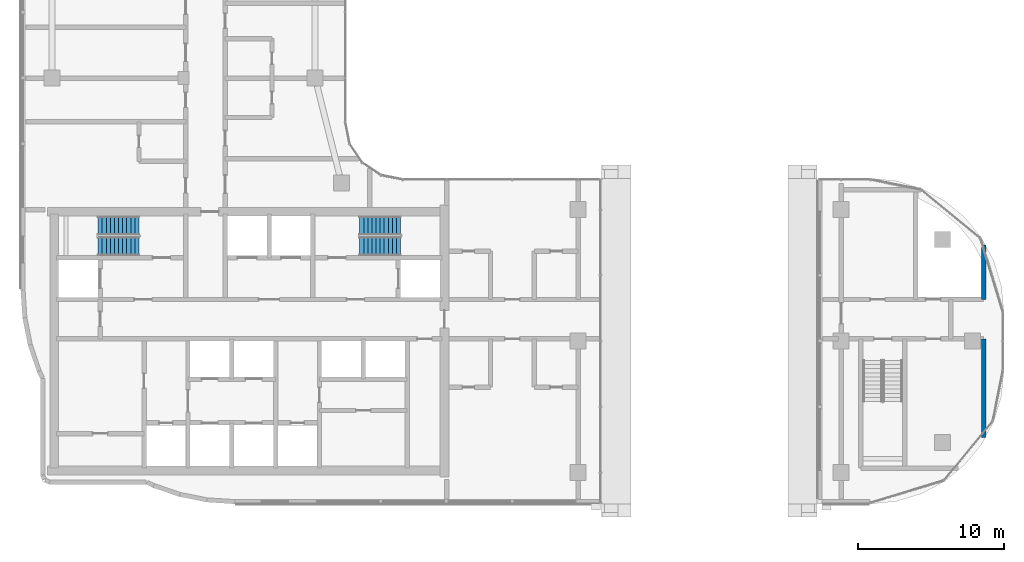
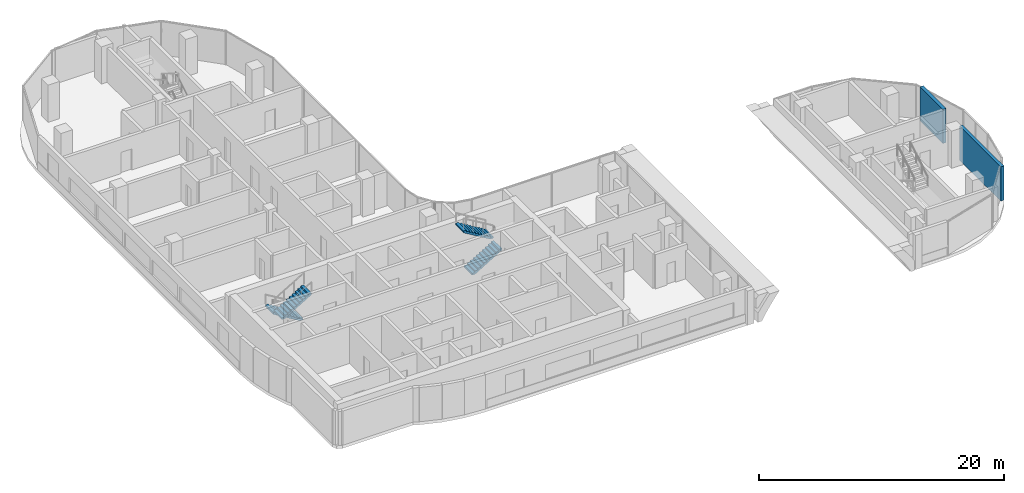
# One storey, part 14 of 23: 4 stair flights, 2 walls, 2 elements without a shape of their own.
"""IFC4 building model written with IfcOpenShell, lengths in metres."""

from ifc_helpers import new_model, si_unit, direction, frame, frame_2d, origin, place, context, subcontext, project, spatial, rectangle, extrude, triangles, source, transform, mapped, material, layer, layer_set, type_object, element, aggregate, save


model = new_model("IFC4")

# Units and contexts
model_context = context("Model", 3, precision=1e-05, world=origin(), true_north=direction((0.0, 1.0)))
body_context = subcontext(model_context, "Body", "Model", "MODEL_VIEW")
ifc_project = project(units=[si_unit("LENGTHUNIT", "METRE"), si_unit("AREAUNIT", "SQUARE_METRE"), si_unit("VOLUMEUNIT", "CUBIC_METRE"), si_unit("PLANEANGLEUNIT", "RADIAN"), si_unit("MASSUNIT", "GRAM", prefix="KILO")], contexts=[model_context])

# Site, building, storey
site_placement = place(None, origin())
site = spatial("IfcSite", under=ifc_project, at=site_placement, CompositionType="ELEMENT")
building_placement = place(site_placement, origin())
building = spatial("IfcBuilding", under=site, at=building_placement, Name="Ogive Portal Towers", CompositionType="ELEMENT")
storey_placement = place(building_placement, frame((0.0, 0.0, 175.5)))
storey = spatial("IfcBuildingStorey", under=building, at=storey_placement, Name="L43", CompositionType="ELEMENT", Elevation=175.5)

# Walls
ifc_material_1 = material(Name="Gypsum board partition on steel studs", Category="steel")
ifc_layer = layer(ifc_material_1, 0.300048828125)
ifc_layer_set = layer_set([ifc_layer], Name="WT-PART-300-EI 60")
wall_type = type_object("IfcWallType", Name="WT-PART-300-EI 60", PredefinedType="PARTITIONING", material=ifc_layer_set)
wall_1_placement = place(storey_placement, frame((95.25, 23.9150390625, 0.0), z_axis=(0.0, 0.0, 1.0), x_axis=(0.0, 1.0, 0.0)))
element("IfcWall", 1, at=wall_1_placement, inside=storey, type_object=wall_type, Name="Wall L43:w055", PredefinedType="PARTITIONING", context=body_context, shape_type="SweptSolid", body=[
    extrude(rectangle(XDim=6.73486328125, YDim=0.300048828125, at=frame_2d((3.367431640625, 0.0))), origin(), (0.0, 0.0, 1.0), 3.39990234375),
])
wall_2_placement = place(storey_placement, frame((95.25, 33.35009765625, 0.0), z_axis=(0.0, 0.0, 1.0), x_axis=(0.0, 1.0, 0.0)))
element("IfcWall", 2, at=wall_2_placement, inside=storey, type_object=wall_type, Name="Wall L43:w056", PredefinedType="PARTITIONING", context=body_context, shape_type="SweptSolid", body=[
    extrude(rectangle(XDim=3.73486328125, YDim=0.300048828125, at=frame_2d((1.867431640625, 0.0))), origin(), (0.0, 0.0, 1.0), 3.39990234375),
])

# Stair, stair flights
ifc_material_2 = material(Name="Concrete C40/50", Category="concrete")
stair_type = type_object("IfcStairType", Name="INT-STAIR", PredefinedType="HALF_TURN_STAIR", material=ifc_material_2)
stair_1_placement = place(storey_placement, origin())
stair_1 = element("IfcStair", 3, at=stair_1_placement, inside=storey, type_object=stair_type, Name="L43 Exit Stair ST-A1", PredefinedType="HALF_TURN_STAIR")
stair_flight_type = type_object("IfcStairFlightType", Name="INT-FLIGHT", PredefinedType="STRAIGHT", material=ifc_material_2)
shared_shape = source(origin(), body_context, "Body", "Tessellation", [
    triangles([(0.0, -0.650146484375, 0.0), (0.0, -0.376220703125, 0.0), (0.0, -0.192626953125, 0.0), (0.0, -0.081298828125, 0.0), (0.0, -0.024169921875, 0.0), (0.0, -0.003173828125, 0.0), (0.0, 0.0, 0.0), (0.0, 0.0029296875, 0.0), (0.0, 0.02392578125, 0.0), (0.0, 0.0810546875, 0.0), (0.0, 0.1923828125, 0.0), (0.0, 0.3759765625, 0.0), (0.0, 0.64990234375, 0.0), (0.0, -0.650146484375, 0.168212890625), (0.0, -0.376220703125, 0.168212890625), (0.0, -0.192626953125, 0.168212890625), (0.0, -0.081298828125, 0.168212890625), (0.0, -0.024169921875, 0.168212890625), (0.0, -0.003173828125, 0.168212890625), (0.0, 0.0, 0.168212890625), (0.0, 0.0029296875, 0.168212890625), (0.0, 0.02392578125, 0.168212890625), (0.0, 0.0810546875, 0.168212890625), (0.0, 0.1923828125, 0.168212890625), (0.0, 0.3759765625, 0.168212890625), (0.0, 0.64990234375, 0.168212890625), (0.280029296875, -0.650146484375, 0.168212890625), (0.280029296875, -0.376220703125, 0.168212890625), (0.280029296875, -0.192626953125, 0.168212890625), (0.280029296875, -0.081298828125, 0.168212890625), (0.280029296875, -0.024169921875, 0.168212890625), (0.280029296875, -0.003173828125, 0.168212890625), (0.280029296875, 0.0, 0.168212890625), (0.280029296875, 0.0029296875, 0.168212890625), (0.280029296875, 0.02392578125, 0.168212890625), (0.280029296875, 0.0810546875, 0.168212890625), (0.280029296875, 0.1923828125, 0.168212890625), (0.280029296875, 0.3759765625, 0.168212890625), (0.280029296875, 0.64990234375, 0.168212890625), (0.280029296875, -0.650146484375, 0.33642578125), (0.280029296875, -0.376220703125, 0.33642578125), (0.280029296875, -0.192626953125, 0.33642578125), (0.280029296875, -0.081298828125, 0.33642578125), (0.280029296875, -0.024169921875, 0.33642578125), (0.280029296875, -0.003173828125, 0.33642578125), (0.280029296875, 0.0, 0.33642578125), (0.280029296875, 0.0029296875, 0.33642578125), (0.280029296875, 0.02392578125, 0.33642578125), (0.280029296875, 0.0810546875, 0.33642578125), (0.280029296875, 0.1923828125, 0.33642578125), (0.280029296875, 0.3759765625, 0.33642578125), (0.280029296875, 0.64990234375, 0.33642578125), (0.56005859375, -0.650146484375, 0.33642578125), (0.56005859375, -0.376220703125, 0.33642578125), (0.56005859375, -0.192626953125, 0.33642578125), (0.56005859375, -0.081298828125, 0.33642578125), (0.56005859375, -0.024169921875, 0.33642578125), (0.56005859375, -0.003173828125, 0.33642578125), (0.56005859375, 0.0, 0.33642578125), (0.56005859375, 0.0029296875, 0.33642578125), (0.56005859375, 0.02392578125, 0.33642578125), (0.56005859375, 0.0810546875, 0.33642578125), (0.56005859375, 0.1923828125, 0.33642578125), (0.56005859375, 0.3759765625, 0.33642578125), (0.56005859375, 0.64990234375, 0.33642578125), (0.56005859375, -0.650146484375, 0.504638671875), (0.56005859375, -0.376220703125, 0.504638671875), (0.56005859375, -0.192626953125, 0.504638671875), (0.56005859375, -0.081298828125, 0.504638671875), (0.56005859375, -0.024169921875, 0.504638671875), (0.56005859375, -0.003173828125, 0.504638671875), (0.56005859375, 0.0, 0.504638671875), (0.56005859375, 0.0029296875, 0.504638671875), (0.56005859375, 0.02392578125, 0.504638671875), (0.56005859375, 0.0810546875, 0.504638671875), (0.56005859375, 0.1923828125, 0.504638671875), (0.56005859375, 0.3759765625, 0.504638671875), (0.56005859375, 0.64990234375, 0.504638671875), (0.840087890625, -0.650146484375, 0.504638671875), (0.840087890625, -0.376220703125, 0.504638671875), (0.840087890625, -0.192626953125, 0.504638671875), (0.840087890625, -0.081298828125, 0.504638671875), (0.840087890625, -0.024169921875, 0.504638671875), (0.840087890625, -0.003173828125, 0.504638671875), (0.840087890625, 0.0, 0.504638671875), (0.840087890625, 0.0029296875, 0.504638671875), (0.840087890625, 0.02392578125, 0.504638671875), (0.840087890625, 0.0810546875, 0.504638671875), (0.840087890625, 0.1923828125, 0.504638671875), (0.840087890625, 0.3759765625, 0.504638671875), (0.840087890625, 0.64990234375, 0.504638671875), (0.840087890625, -0.650146484375, 0.672607421875), (0.840087890625, -0.376220703125, 0.672607421875), (0.840087890625, -0.192626953125, 0.672607421875), (0.840087890625, -0.081298828125, 0.672607421875), (0.840087890625, -0.024169921875, 0.672607421875), (0.840087890625, -0.003173828125, 0.672607421875), (0.840087890625, 0.0, 0.672607421875), (0.840087890625, 0.0029296875, 0.672607421875), (0.840087890625, 0.02392578125, 0.672607421875), (0.840087890625, 0.0810546875, 0.672607421875), (0.840087890625, 0.1923828125, 0.672607421875), (0.840087890625, 0.3759765625, 0.672607421875), (0.840087890625, 0.64990234375, 0.672607421875), (1.1201171875, -0.650146484375, 0.672607421875), (1.1201171875, -0.376220703125, 0.672607421875), (1.1201171875, -0.192626953125, 0.672607421875), (1.1201171875, -0.081298828125, 0.672607421875), (1.1201171875, -0.024169921875, 0.672607421875), (1.1201171875, -0.003173828125, 0.672607421875), (1.1201171875, 0.0, 0.672607421875), (1.1201171875, 0.0029296875, 0.672607421875), (1.1201171875, 0.02392578125, 0.672607421875), (1.1201171875, 0.0810546875, 0.672607421875), (1.1201171875, 0.1923828125, 0.672607421875), (1.1201171875, 0.3759765625, 0.672607421875), (1.1201171875, 0.64990234375, 0.672607421875), (1.1201171875, -0.650146484375, 0.8408203125), (1.1201171875, -0.376220703125, 0.8408203125), (1.1201171875, -0.192626953125, 0.8408203125), (1.1201171875, -0.081298828125, 0.8408203125), (1.1201171875, -0.024169921875, 0.8408203125), (1.1201171875, -0.003173828125, 0.8408203125), (1.1201171875, 0.0, 0.8408203125), (1.1201171875, 0.0029296875, 0.8408203125), (1.1201171875, 0.02392578125, 0.8408203125), (1.1201171875, 0.0810546875, 0.8408203125), (1.1201171875, 0.1923828125, 0.8408203125), (1.1201171875, 0.3759765625, 0.8408203125), (1.1201171875, 0.64990234375, 0.8408203125), (1.39990234375, -0.650146484375, 0.8408203125), (1.39990234375, -0.376220703125, 0.8408203125), (1.39990234375, -0.192626953125, 0.8408203125), (1.39990234375, -0.081298828125, 0.8408203125), (1.39990234375, -0.024169921875, 0.8408203125), (1.39990234375, -0.003173828125, 0.8408203125), (1.39990234375, 0.0, 0.8408203125), (1.39990234375, 0.0029296875, 0.8408203125), (1.39990234375, 0.02392578125, 0.8408203125), (1.39990234375, 0.0810546875, 0.8408203125), (1.39990234375, 0.1923828125, 0.8408203125), (1.39990234375, 0.3759765625, 0.8408203125), (1.39990234375, 0.64990234375, 0.8408203125), (1.39990234375, -0.650146484375, 1.009033203125), (1.39990234375, -0.376220703125, 1.009033203125), (1.39990234375, -0.192626953125, 1.009033203125), (1.39990234375, -0.081298828125, 1.009033203125), (1.39990234375, -0.024169921875, 1.009033203125), (1.39990234375, -0.003173828125, 1.009033203125), (1.39990234375, 0.0, 1.009033203125), (1.39990234375, 0.0029296875, 1.009033203125), (1.39990234375, 0.02392578125, 1.009033203125), (1.39990234375, 0.0810546875, 1.009033203125), (1.39990234375, 0.1923828125, 1.009033203125), (1.39990234375, 0.3759765625, 1.009033203125), (1.39990234375, 0.64990234375, 1.009033203125), (1.679931640625, -0.650146484375, 1.009033203125), (1.679931640625, -0.376220703125, 1.009033203125), (1.679931640625, -0.192626953125, 1.009033203125), (1.679931640625, -0.081298828125, 1.009033203125), (1.679931640625, -0.024169921875, 1.009033203125), (1.679931640625, -0.003173828125, 1.009033203125), (1.679931640625, 0.0, 1.009033203125), (1.679931640625, 0.0029296875, 1.009033203125), (1.679931640625, 0.02392578125, 1.009033203125), (1.679931640625, 0.0810546875, 1.009033203125), (1.679931640625, 0.1923828125, 1.009033203125), (1.679931640625, 0.3759765625, 1.009033203125), (1.679931640625, 0.64990234375, 1.009033203125), (1.679931640625, -0.650146484375, 1.17724609375), (1.679931640625, -0.376220703125, 1.17724609375), (1.679931640625, -0.192626953125, 1.17724609375), (1.679931640625, -0.081298828125, 1.17724609375), (1.679931640625, -0.024169921875, 1.17724609375), (1.679931640625, -0.003173828125, 1.17724609375), (1.679931640625, 0.0, 1.17724609375), (1.679931640625, 0.0029296875, 1.17724609375), (1.679931640625, 0.02392578125, 1.17724609375), (1.679931640625, 0.0810546875, 1.17724609375), (1.679931640625, 0.1923828125, 1.17724609375), (1.679931640625, 0.3759765625, 1.17724609375), (1.679931640625, 0.64990234375, 1.17724609375), (1.9599609375, -0.650146484375, 1.17724609375), (1.9599609375, -0.376220703125, 1.17724609375), (1.9599609375, -0.192626953125, 1.17724609375), (1.9599609375, -0.081298828125, 1.17724609375), (1.9599609375, -0.024169921875, 1.17724609375), (1.9599609375, -0.003173828125, 1.17724609375), (1.9599609375, 0.0, 1.17724609375), (1.9599609375, 0.0029296875, 1.17724609375), (1.9599609375, 0.02392578125, 1.17724609375), (1.9599609375, 0.0810546875, 1.17724609375), (1.9599609375, 0.1923828125, 1.17724609375), (1.9599609375, 0.3759765625, 1.17724609375), (1.9599609375, 0.64990234375, 1.17724609375), (1.9599609375, -0.650146484375, 1.345458984375), (1.9599609375, -0.376220703125, 1.345458984375), (1.9599609375, -0.192626953125, 1.345458984375), (1.9599609375, -0.081298828125, 1.345458984375), (1.9599609375, -0.024169921875, 1.345458984375), (1.9599609375, -0.003173828125, 1.345458984375), (1.9599609375, 0.0, 1.345458984375), (1.9599609375, 0.0029296875, 1.345458984375), (1.9599609375, 0.02392578125, 1.345458984375), (1.9599609375, 0.0810546875, 1.345458984375), (1.9599609375, 0.1923828125, 1.345458984375), (1.9599609375, 0.3759765625, 1.345458984375), (1.9599609375, 0.64990234375, 1.345458984375), (2.239990234375, -0.650146484375, 1.345458984375), (2.239990234375, -0.376220703125, 1.345458984375), (2.239990234375, -0.192626953125, 1.345458984375), (2.239990234375, -0.081298828125, 1.345458984375), (2.239990234375, -0.024169921875, 1.345458984375), (2.239990234375, -0.003173828125, 1.345458984375), (2.239990234375, 0.0, 1.345458984375), (2.239990234375, 0.0029296875, 1.345458984375), (2.239990234375, 0.02392578125, 1.345458984375), (2.239990234375, 0.0810546875, 1.345458984375), (2.239990234375, 0.1923828125, 1.345458984375), (2.239990234375, 0.3759765625, 1.345458984375), (2.239990234375, 0.64990234375, 1.345458984375), (2.239990234375, -0.650146484375, 1.513671875), (2.239990234375, -0.376220703125, 1.513671875), (2.239990234375, -0.192626953125, 1.513671875), (2.239990234375, -0.081298828125, 1.513671875), (2.239990234375, -0.024169921875, 1.513671875), (2.239990234375, -0.003173828125, 1.513671875), (2.239990234375, 0.0, 1.513671875), (2.239990234375, 0.0029296875, 1.513671875), (2.239990234375, 0.02392578125, 1.513671875), (2.239990234375, 0.0810546875, 1.513671875), (2.239990234375, 0.1923828125, 1.513671875), (2.239990234375, 0.3759765625, 1.513671875), (2.239990234375, 0.64990234375, 1.513671875), (2.52001953125, -0.650146484375, 1.513671875), (2.52001953125, -0.376220703125, 1.513671875), (2.52001953125, -0.192626953125, 1.513671875), (2.52001953125, -0.081298828125, 1.513671875), (2.52001953125, -0.024169921875, 1.513671875), (2.52001953125, -0.003173828125, 1.513671875), (2.52001953125, 0.0, 1.513671875), (2.52001953125, 0.0029296875, 1.513671875), (2.52001953125, 0.02392578125, 1.513671875), (2.52001953125, 0.0810546875, 1.513671875), (2.52001953125, 0.1923828125, 1.513671875), (2.52001953125, 0.3759765625, 1.513671875), (2.52001953125, 0.64990234375, 1.513671875), (2.52001953125, -0.650146484375, 1.681884765625), (2.52001953125, -0.376220703125, 1.681884765625), (2.52001953125, -0.192626953125, 1.681884765625), (2.52001953125, -0.081298828125, 1.681884765625), (2.52001953125, -0.024169921875, 1.681884765625), (2.52001953125, -0.003173828125, 1.681884765625), (2.52001953125, 0.0, 1.681884765625), (2.52001953125, 0.0029296875, 1.681884765625), (2.52001953125, 0.02392578125, 1.681884765625), (2.52001953125, 0.0810546875, 1.681884765625), (2.52001953125, 0.1923828125, 1.681884765625), (2.52001953125, 0.3759765625, 1.681884765625), (2.52001953125, 0.64990234375, 1.681884765625), (2.800048828125, -0.650146484375, 1.681884765625), (2.800048828125, -0.376220703125, 1.681884765625), (2.800048828125, -0.192626953125, 1.681884765625), (2.800048828125, -0.081298828125, 1.681884765625), (2.800048828125, -0.024169921875, 1.681884765625), (2.800048828125, -0.003173828125, 1.681884765625), (2.800048828125, 0.0, 1.681884765625), (2.800048828125, 0.0029296875, 1.681884765625), (2.800048828125, 0.02392578125, 1.681884765625), (2.800048828125, 0.0810546875, 1.681884765625), (2.800048828125, 0.1923828125, 1.681884765625), (2.800048828125, 0.3759765625, 1.681884765625), (2.800048828125, 0.64990234375, 1.681884765625), (2.800048828125, -0.650146484375, 1.5068359375), (2.800048828125, -0.376220703125, 1.5068359375), (2.800048828125, -0.192626953125, 1.5068359375), (2.800048828125, -0.081298828125, 1.5068359375), (2.800048828125, -0.024169921875, 1.5068359375), (2.800048828125, -0.003173828125, 1.5068359375), (2.800048828125, 0.0, 1.5068359375), (2.800048828125, 0.0029296875, 1.5068359375), (2.800048828125, 0.02392578125, 1.5068359375), (2.800048828125, 0.0810546875, 1.5068359375), (2.800048828125, 0.1923828125, 1.5068359375), (2.800048828125, 0.3759765625, 1.5068359375), (2.800048828125, 0.64990234375, 1.5068359375), (0.291015625, -0.650146484375, 0.0), (0.291015625, -0.376220703125, 0.0), (0.291015625, -0.192626953125, 0.0), (0.291015625, -0.081298828125, 0.0), (0.291015625, -0.024169921875, 0.0), (0.291015625, -0.003173828125, 0.0), (0.291015625, 0.0, 0.0), (0.291015625, 0.0029296875, 0.0), (0.291015625, 0.02392578125, 0.0), (0.291015625, 0.0810546875, 0.0), (0.291015625, 0.1923828125, 0.0), (0.291015625, 0.3759765625, 0.0), (0.291015625, 0.64990234375, 0.0)], [[1, 14, 15], [1, 15, 2], [2, 15, 16], [2, 16, 3], [3, 16, 17], [3, 17, 4], [4, 17, 18], [4, 18, 5], [5, 18, 19], [5, 19, 6], [6, 19, 20], [6, 20, 7], [7, 20, 21], [7, 21, 8], [8, 21, 22], [8, 22, 9], [9, 22, 23], [9, 23, 10], [10, 23, 24], [10, 24, 11], [11, 24, 25], [11, 25, 12], [12, 25, 26], [12, 26, 13], [14, 27, 28], [14, 28, 15], [15, 28, 29], [15, 29, 16], [16, 29, 30], [16, 30, 17], [17, 30, 31], [17, 31, 18], [18, 31, 32], [18, 32, 19], [19, 32, 33], [19, 33, 20], [20, 33, 34], [20, 34, 21], [21, 34, 35], [21, 35, 22], [22, 35, 36], [22, 36, 23], [23, 36, 37], [23, 37, 24], [24, 37, 38], [24, 38, 25], [25, 38, 39], [25, 39, 26], [27, 40, 41], [27, 41, 28], [28, 41, 42], [28, 42, 29], [29, 42, 43], [29, 43, 30], [30, 43, 44], [30, 44, 31], [31, 44, 45], [31, 45, 32], [32, 45, 46], [32, 46, 33], [33, 46, 47], [33, 47, 34], [34, 47, 48], [34, 48, 35], [35, 48, 49], [35, 49, 36], [36, 49, 50], [36, 50, 37], [37, 50, 51], [37, 51, 38], [38, 51, 52], [38, 52, 39], [40, 53, 54], [40, 54, 41], [41, 54, 55], [41, 55, 42], [42, 55, 56], [42, 56, 43], [43, 56, 57], [43, 57, 44], [44, 57, 58], [44, 58, 45], [45, 58, 59], [45, 59, 46], [46, 59, 60], [46, 60, 47], [47, 60, 61], [47, 61, 48], [48, 61, 62], [48, 62, 49], [49, 62, 63], [49, 63, 50], [50, 63, 64], [50, 64, 51], [51, 64, 65], [51, 65, 52], [53, 66, 67], [53, 67, 54], [54, 67, 68], [54, 68, 55], [55, 68, 69], [55, 69, 56], [56, 69, 70], [56, 70, 57], [57, 70, 71], [57, 71, 58], [58, 71, 72], [58, 72, 59], [59, 72, 73], [59, 73, 60], [60, 73, 74], [60, 74, 61], [61, 74, 75], [61, 75, 62], [62, 75, 76], [62, 76, 63], [63, 76, 77], [63, 77, 64], [64, 77, 78], [64, 78, 65], [66, 79, 80], [66, 80, 67], [67, 80, 81], [67, 81, 68], [68, 81, 82], [68, 82, 69], [69, 82, 83], [69, 83, 70], [70, 83, 84], [70, 84, 71], [71, 84, 85], [71, 85, 72], [72, 85, 86], [72, 86, 73], [73, 86, 87], [73, 87, 74], [74, 87, 88], [74, 88, 75], [75, 88, 89], [75, 89, 76], [76, 89, 90], [76, 90, 77], [77, 90, 91], [77, 91, 78], [79, 92, 93], [79, 93, 80], [80, 93, 94], [80, 94, 81], [81, 94, 95], [81, 95, 82], [82, 95, 96], [82, 96, 83], [83, 96, 97], [83, 97, 84], [84, 97, 98], [84, 98, 85], [85, 98, 99], [85, 99, 86], [86, 99, 100], [86, 100, 87], [87, 100, 101], [87, 101, 88], [88, 101, 102], [88, 102, 89], [89, 102, 103], [89, 103, 90], [90, 103, 104], [90, 104, 91], [92, 105, 106], [92, 106, 93], [93, 106, 107], [93, 107, 94], [94, 107, 108], [94, 108, 95], [95, 108, 109], [95, 109, 96], [96, 109, 110], [96, 110, 97], [97, 110, 111], [97, 111, 98], [98, 111, 112], [98, 112, 99], [99, 112, 113], [99, 113, 100], [100, 113, 114], [100, 114, 101], [101, 114, 115], [101, 115, 102], [102, 115, 116], [102, 116, 103], [103, 116, 117], [103, 117, 104], [105, 118, 119], [105, 119, 106], [106, 119, 120], [106, 120, 107], [107, 120, 121], [107, 121, 108], [108, 121, 122], [108, 122, 109], [109, 122, 123], [109, 123, 110], [110, 123, 124], [110, 124, 111], [111, 124, 125], [111, 125, 112], [112, 125, 126], [112, 126, 113], [113, 126, 127], [113, 127, 114], [114, 127, 128], [114, 128, 115], [115, 128, 129], [115, 129, 116], [116, 129, 130], [116, 130, 117], [118, 131, 132], [118, 132, 119], [119, 132, 133], [119, 133, 120], [120, 133, 134], [120, 134, 121], [121, 134, 135], [121, 135, 122], [122, 135, 136], [122, 136, 123], [123, 136, 137], [123, 137, 124], [124, 137, 138], [124, 138, 125], [125, 138, 139], [125, 139, 126], [126, 139, 140], [126, 140, 127], [127, 140, 141], [127, 141, 128], [128, 141, 142], [128, 142, 129], [129, 142, 143], [129, 143, 130], [131, 144, 145], [131, 145, 132], [132, 145, 146], [132, 146, 133], [133, 146, 147], [133, 147, 134], [134, 147, 148], [134, 148, 135], [135, 148, 149], [135, 149, 136], [136, 149, 150], [136, 150, 137], [137, 150, 151], [137, 151, 138], [138, 151, 152], [138, 152, 139], [139, 152, 153], [139, 153, 140], [140, 153, 154], [140, 154, 141], [141, 154, 155], [141, 155, 142], [142, 155, 156], [142, 156, 143], [144, 157, 158], [144, 158, 145], [145, 158, 159], [145, 159, 146], [146, 159, 160], [146, 160, 147], [147, 160, 161], [147, 161, 148], [148, 161, 162], [148, 162, 149], [149, 162, 163], [149, 163, 150], [150, 163, 164], [150, 164, 151], [151, 164, 165], [151, 165, 152], [152, 165, 166], [152, 166, 153], [153, 166, 167], [153, 167, 154], [154, 167, 168], [154, 168, 155], [155, 168, 169], [155, 169, 156], [157, 170, 171], [157, 171, 158], [158, 171, 172], [158, 172, 159], [159, 172, 173], [159, 173, 160], [160, 173, 174], [160, 174, 161], [161, 174, 175], [161, 175, 162], [162, 175, 176], [162, 176, 163], [163, 176, 177], [163, 177, 164], [164, 177, 178], [164, 178, 165], [165, 178, 179], [165, 179, 166], [166, 179, 180], [166, 180, 167], [167, 180, 181], [167, 181, 168], [168, 181, 182], [168, 182, 169], [170, 183, 184], [170, 184, 171], [171, 184, 185], [171, 185, 172], [172, 185, 186], [172, 186, 173], [173, 186, 187], [173, 187, 174], [174, 187, 188], [174, 188, 175], [175, 188, 189], [175, 189, 176], [176, 189, 190], [176, 190, 177], [177, 190, 191], [177, 191, 178], [178, 191, 192], [178, 192, 179], [179, 192, 193], [179, 193, 180], [180, 193, 194], [180, 194, 181], [181, 194, 195], [181, 195, 182], [183, 196, 197], [183, 197, 184], [184, 197, 198], [184, 198, 185], [185, 198, 199], [185, 199, 186], [186, 199, 200], [186, 200, 187], [187, 200, 201], [187, 201, 188], [188, 201, 202], [188, 202, 189], [189, 202, 203], [189, 203, 190], [190, 203, 204], [190, 204, 191], [191, 204, 205], [191, 205, 192], [192, 205, 206], [192, 206, 193], [193, 206, 207], [193, 207, 194], [194, 207, 208], [194, 208, 195], [196, 209, 210], [196, 210, 197], [197, 210, 211], [197, 211, 198], [198, 211, 212], [198, 212, 199], [199, 212, 213], [199, 213, 200], [200, 213, 214], [200, 214, 201], [201, 214, 215], [201, 215, 202], [202, 215, 216], [202, 216, 203], [203, 216, 217], [203, 217, 204], [204, 217, 218], [204, 218, 205], [205, 218, 219], [205, 219, 206], [206, 219, 220], [206, 220, 207], [207, 220, 221], [207, 221, 208], [209, 222, 223], [209, 223, 210], [210, 223, 224], [210, 224, 211], [211, 224, 225], [211, 225, 212], [212, 225, 226], [212, 226, 213], [213, 226, 227], [213, 227, 214], [214, 227, 228], [214, 228, 215], [215, 228, 229], [215, 229, 216], [216, 229, 230], [216, 230, 217], [217, 230, 231], [217, 231, 218], [218, 231, 232], [218, 232, 219], [219, 232, 233], [219, 233, 220], [220, 233, 234], [220, 234, 221], [222, 235, 236], [222, 236, 223], [223, 236, 237], [223, 237, 224], [224, 237, 238], [224, 238, 225], [225, 238, 239], [225, 239, 226], [226, 239, 240], [226, 240, 227], [227, 240, 241], [227, 241, 228], [228, 241, 242], [228, 242, 229], [229, 242, 243], [229, 243, 230], [230, 243, 244], [230, 244, 231], [231, 244, 245], [231, 245, 232], [232, 245, 246], [232, 246, 233], [233, 246, 247], [233, 247, 234], [235, 248, 249], [235, 249, 236], [236, 249, 250], [236, 250, 237], [237, 250, 251], [237, 251, 238], [238, 251, 252], [238, 252, 239], [239, 252, 253], [239, 253, 240], [240, 253, 254], [240, 254, 241], [241, 254, 255], [241, 255, 242], [242, 255, 256], [242, 256, 243], [243, 256, 257], [243, 257, 244], [244, 257, 258], [244, 258, 245], [245, 258, 259], [245, 259, 246], [246, 259, 260], [246, 260, 247], [248, 261, 262], [248, 262, 249], [249, 262, 263], [249, 263, 250], [250, 263, 264], [250, 264, 251], [251, 264, 265], [251, 265, 252], [252, 265, 266], [252, 266, 253], [253, 266, 267], [253, 267, 254], [254, 267, 268], [254, 268, 255], [255, 268, 269], [255, 269, 256], [256, 269, 270], [256, 270, 257], [257, 270, 271], [257, 271, 258], [258, 271, 272], [258, 272, 259], [259, 272, 273], [259, 273, 260], [261, 274, 275], [261, 275, 262], [262, 275, 276], [262, 276, 263], [263, 276, 277], [263, 277, 264], [264, 277, 278], [264, 278, 265], [265, 278, 279], [265, 279, 266], [266, 279, 280], [266, 280, 267], [267, 280, 281], [267, 281, 268], [268, 281, 282], [268, 282, 269], [269, 282, 283], [269, 283, 270], [270, 283, 284], [270, 284, 271], [271, 284, 285], [271, 285, 272], [272, 285, 286], [272, 286, 273], [274, 287, 288], [274, 288, 275], [275, 288, 289], [275, 289, 276], [276, 289, 290], [276, 290, 277], [277, 290, 291], [277, 291, 278], [278, 291, 292], [278, 292, 279], [279, 292, 293], [279, 293, 280], [280, 293, 294], [280, 294, 281], [281, 294, 295], [281, 295, 282], [282, 295, 296], [282, 296, 283], [283, 296, 297], [283, 297, 284], [284, 297, 298], [284, 298, 285], [285, 298, 299], [285, 299, 286], [287, 1, 2], [287, 2, 288], [288, 2, 3], [288, 3, 289], [289, 3, 4], [289, 4, 290], [290, 4, 5], [290, 5, 291], [291, 5, 6], [291, 6, 292], [292, 6, 7], [292, 7, 293], [293, 7, 8], [293, 8, 294], [294, 8, 9], [294, 9, 295], [295, 9, 10], [295, 10, 296], [296, 10, 11], [296, 11, 297], [297, 11, 12], [297, 12, 298], [298, 12, 13], [298, 13, 299], [1, 287, 274], [13, 286, 299], [274, 261, 248], [286, 260, 273], [274, 248, 235], [286, 247, 260], [274, 235, 222], [286, 234, 247], [274, 222, 209], [286, 221, 234], [209, 196, 183], [221, 195, 208], [274, 209, 183], [286, 195, 221], [183, 170, 157], [195, 169, 182], [274, 183, 157], [286, 169, 195], [157, 144, 131], [169, 143, 156], [274, 157, 131], [286, 143, 169], [131, 118, 105], [143, 117, 130], [274, 131, 105], [286, 117, 143], [1, 274, 105], [13, 117, 286], [105, 92, 79], [117, 91, 104], [79, 66, 53], [91, 65, 78], [105, 79, 53], [117, 65, 91], [53, 40, 27], [65, 39, 52], [105, 53, 27], [117, 39, 65], [1, 105, 27], [13, 39, 117], [27, 14, 1], [39, 13, 26]], closed=True),
])
stair_flight_1_placement = place(storey_placement, frame((37.449951171875, 38.39990234375, 0.0), z_axis=(0.0, 0.0, 1.0), x_axis=(-1.0, 0.0, 0.0)))
stair_flight_1 = element("IfcStairFlight", 4, at=stair_flight_1_placement, type_object=stair_flight_type, Name="ST-A1 flight 1", NumberOfRisers=11, NumberOfTreads=10, PredefinedType="STRAIGHT", RiserHeight=0.168181818, TreadLength=0.28, context=body_context, shape_type="MappedRepresentation", body=[
    mapped(shared_shape, transform((0.0, 0.0, 0.0), scale=1.0)),
])
stair_flight_2_placement = place(storey_placement, frame((34.64990234375, 37.0, 1.85009765625), z_axis=(0.0, 0.0, 1.0), x_axis=(1.0, 0.0, 0.0)))
stair_flight_2 = element("IfcStairFlight", 5, at=stair_flight_2_placement, type_object=stair_flight_type, Name="ST-A1 flight 2", NumberOfRisers=11, NumberOfTreads=10, PredefinedType="STRAIGHT", RiserHeight=0.168181818, TreadLength=0.28, context=body_context, shape_type="MappedRepresentation", body=[
    mapped(shared_shape, transform((0.0, 0.0, 0.0), scale=1.0)),
])
aggregate(stair_1, [stair_flight_1, stair_flight_2])

stair_2_placement = place(storey_placement, origin())
stair_2 = element("IfcStair", 6, at=stair_2_placement, inside=storey, type_object=stair_type, Name="L43 Exit Stair ST-A2", PredefinedType="HALF_TURN_STAIR")
stair_flight_3_placement = place(storey_placement, frame((52.550048828125, 37.0, 0.0), z_axis=(0.0, 0.0, 1.0), x_axis=(1.0, 0.0, 0.0)))
stair_flight_3 = element("IfcStairFlight", 7, at=stair_flight_3_placement, type_object=stair_flight_type, Name="ST-A2 flight 1", NumberOfRisers=11, NumberOfTreads=10, PredefinedType="STRAIGHT", RiserHeight=0.168181818, TreadLength=0.28, context=body_context, shape_type="MappedRepresentation", body=[
    mapped(shared_shape, transform((0.0, 0.0, 0.0), scale=1.0)),
])
stair_flight_4_placement = place(storey_placement, frame((55.35009765625, 38.39990234375, 1.85009765625), z_axis=(0.0, 0.0, 1.0), x_axis=(-1.0, 0.0, 0.0)))
stair_flight_4 = element("IfcStairFlight", 8, at=stair_flight_4_placement, type_object=stair_flight_type, Name="ST-A2 flight 2", NumberOfRisers=11, NumberOfTreads=10, PredefinedType="STRAIGHT", RiserHeight=0.168181818, TreadLength=0.28, context=body_context, shape_type="MappedRepresentation", body=[
    mapped(shared_shape, transform((0.0, 0.0, 0.0), scale=1.0)),
])
aggregate(stair_2, [stair_flight_3, stair_flight_4])

save(model, "model.ifc")
